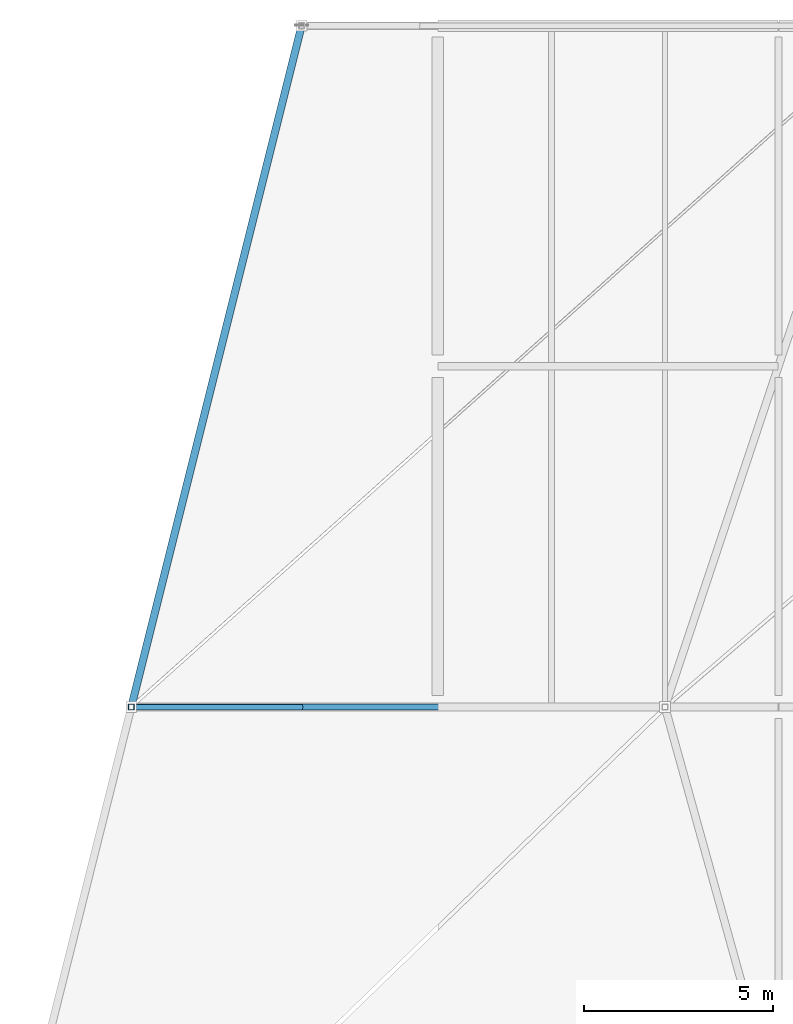
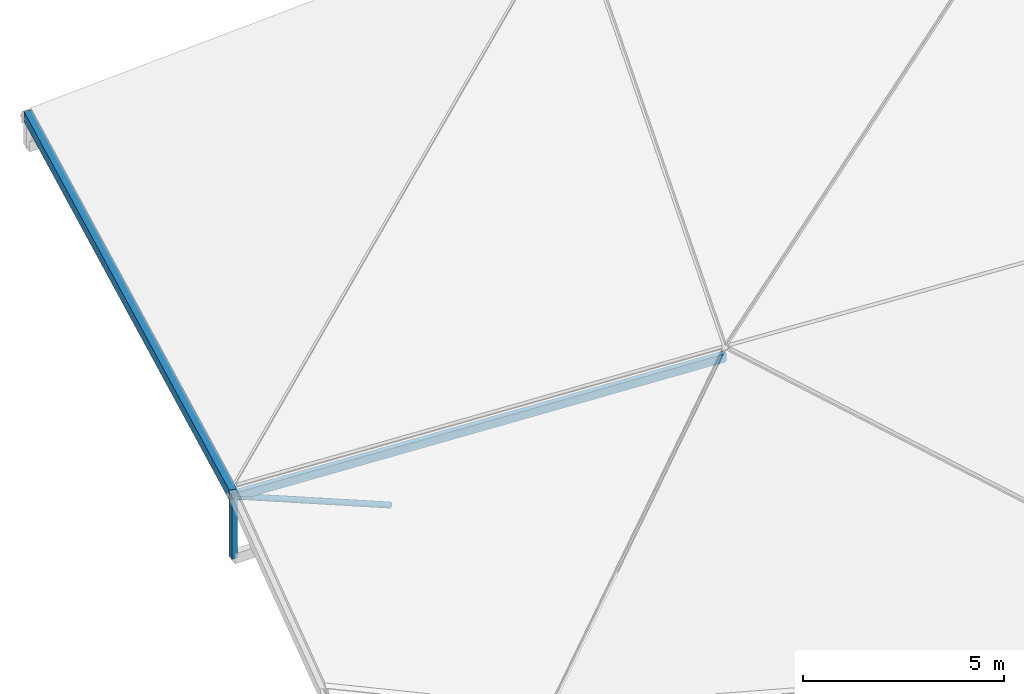
# One storey, part 7 of 18: 4 members.
"""IFC4 building model written with IfcOpenShell, lengths in metres."""

from ifc_helpers import new_model, si_unit, direction, frame, origin, origin_2d, place, context, subcontext, project, spatial, hollow_rectangle, hollow_circle, extrude, material, material_profile, profile_set, type_object, element, save


model = new_model("IFC4")

# Units and contexts
model_context = context("Model", 3, precision=1e-05, world=origin(), true_north=direction((0.0, 1.0)))
body_context = subcontext(model_context, "Body", "Model", "MODEL_VIEW")
ifc_project = project(units=[si_unit("LENGTHUNIT", "METRE"), si_unit("AREAUNIT", "SQUARE_METRE"), si_unit("VOLUMEUNIT", "CUBIC_METRE"), si_unit("PLANEANGLEUNIT", "RADIAN"), si_unit("MASSUNIT", "GRAM", prefix="KILO")], contexts=[model_context])

# Site, building, storey
site_placement = place(None, origin())
site = spatial("IfcSite", under=ifc_project, at=site_placement, CompositionType="ELEMENT")
building_placement = place(site_placement, origin())
building = spatial("IfcBuilding", under=site, at=building_placement, Name="Deido Ridge Mobility Hub", CompositionType="ELEMENT")
storey_placement = place(building_placement, frame((0.0, 0.0, 29.39990234375)))
storey = spatial("IfcBuildingStorey", under=building, at=storey_placement, Name="RF", CompositionType="ELEMENT", Elevation=29.39990234375)

# Members
ifc_material = material(Name="Steel S355J2H EN 10210-1", Category="steel")
ifc_material_profile_1 = material_profile(ifc_material, hollow_rectangle(XDim=0.199951171875, YDim=0.300048828125, WallThickness=0.012451171875, at=origin_2d()), Name="RHS 300x200x12.5")
ifc_profile_set_1 = profile_set([ifc_material_profile_1], Name="Steel S355J2H EN 10210-1")
member_type_1 = type_object("IfcMemberType", Name="MEM-CHD-RHS300", PredefinedType="CHORD", material=ifc_profile_set_1)
member_1_placement = place(storey_placement, frame((144.89990234375, 36.0, 1.89013671875), z_axis=(0.242184123946, 0.968736495783, -0.05381869421), x_axis=(-0.970142500145, 0.242535625036, 0.0)))
element("IfcMember", 1, at=member_1_placement, inside=storey, type_object=member_type_1, Name="Crystal longitudinal ridge chord CH1", PredefinedType="CHORD", context=body_context, shape_type="SweptSolid", body=[
    extrude(hollow_rectangle(XDim=0.199951171875, YDim=0.300048828125, WallThickness=0.012451171875, at=origin_2d()), origin(), (0.0, 0.0, 1.0), 18.580810546875),
])
ifc_material_profile_2 = material_profile(ifc_material, hollow_rectangle(XDim=0.14990234375, YDim=0.14990234375, WallThickness=0.008056640625, at=origin_2d()), Name="SHS 150x150x8")
ifc_profile_set_2 = profile_set([ifc_material_profile_2], Name="Steel S355J2H EN 10210-1")
member_type_2 = type_object("IfcMemberType", Name="MEM-PST-SHS150", PredefinedType="POST", material=ifc_profile_set_2)
member_2_placement = place(storey_placement, frame((144.89990234375, 36.0, 0.0), z_axis=(0.0, 0.0, 1.0), x_axis=(1.0, 0.0, 0.0)))
element("IfcMember", 2, at=member_2_placement, inside=storey, type_object=member_type_2, Name="Crystal roof ridge post PS1", PredefinedType="POST", context=body_context, shape_type="SweptSolid", body=[
    extrude(hollow_rectangle(XDim=0.14990234375, YDim=0.14990234375, WallThickness=0.008056640625, at=origin_2d()), origin(), (0.0, 0.0, 1.0), 1.85009765625),
])
ifc_material_profile_3 = material_profile(ifc_material, hollow_rectangle(XDim=0.14990234375, YDim=0.25, WallThickness=0.010009765625, at=origin_2d()), Name="RHS 250x150x10")
ifc_profile_set_3 = profile_set([ifc_material_profile_3], Name="Steel S355J2H EN 10210-1")
member_type_3 = type_object("IfcMemberType", Name="MEM-RAF-RHS250", PredefinedType="RAFTER", material=ifc_profile_set_3)
member_3_placement = place(storey_placement, frame((144.89990234375, 36.0, 1.85009765625), z_axis=(0.998770129205, 0.0, -0.049580530533), x_axis=(0.0, 1.0, 0.0)))
element("IfcMember", 3, at=member_3_placement, inside=storey, type_object=member_type_3, Name="Crystal roof folded rafter RF1", PredefinedType="RAFTER", context=body_context, shape_type="SweptSolid", body=[
    extrude(hollow_rectangle(XDim=0.14990234375, YDim=0.25, WallThickness=0.010009765625, at=origin_2d()), origin(), (0.0, 0.0, 1.0), 14.117431640625),
])
ifc_material_profile_4 = material_profile(ifc_material, hollow_circle(Radius=0.084228515625, WallThickness=0.008056640625, at=origin_2d()), Name="CHS 168.3x8")
ifc_profile_set_4 = profile_set([ifc_material_profile_4], Name="Steel S355J2H EN 10210-1")
member_type_4 = type_object("IfcMemberType", Name="MEM-STR-CHS168", PredefinedType="STRUT", material=ifc_profile_set_4)
member_4_placement = place(storey_placement, frame((149.39990234375, 36.0, 0.0), z_axis=(-0.924883723573, 0.0, 0.380250046508), x_axis=(0.0, -1.0, 0.0)))
element("IfcMember", 4, at=member_4_placement, inside=storey, type_object=member_type_4, Name="Crystal diagonal web strut SR1", PredefinedType="STRUT", context=body_context, shape_type="SweptSolid", body=[
    extrude(hollow_circle(Radius=0.084228515625, WallThickness=0.008056640625, at=origin_2d()), origin(), (0.0, 0.0, 1.0), 4.865478515625),
])

save(model, "model.ifc")
